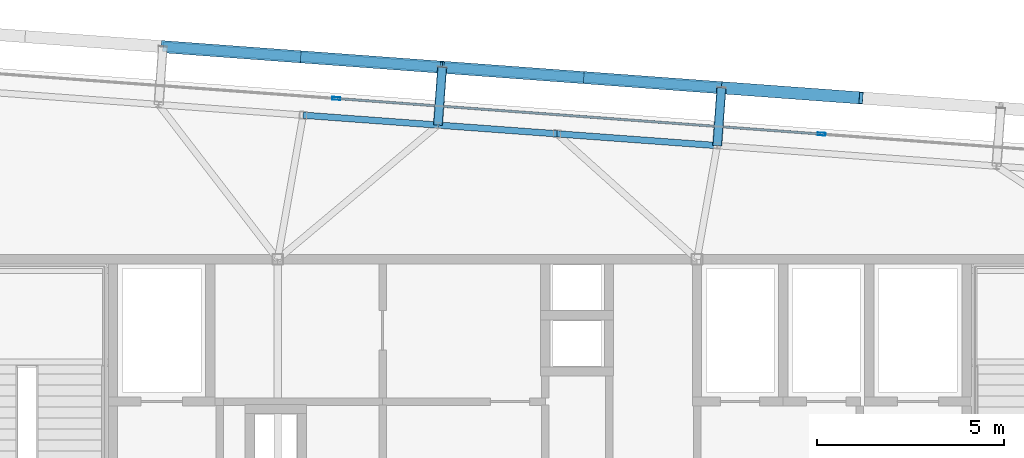
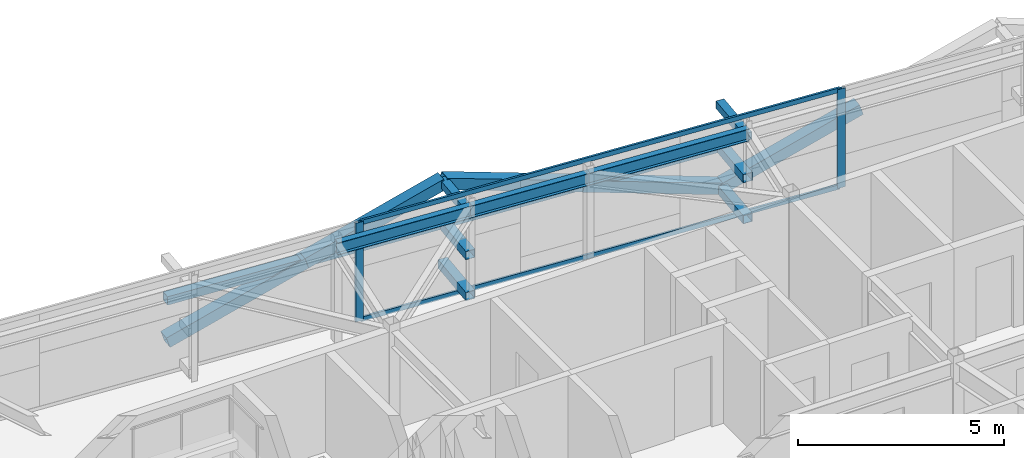
# One storey, part 21 of 34: 17 members, 3 beams, 1 element without a shape of its own.
"""IFC4 building model written with IfcOpenShell, lengths in metres."""

from ifc_helpers import new_model, si_unit, direction, frame, origin, origin_2d, place, context, subcontext, project, spatial, hollow_rectangle, i_section, extrude, source, transform, mapped, material, layer, layer_set, material_profile, profile_set, type_object, element, aggregate, save


model = new_model("IFC4")

# Units and contexts
model_context = context("Model", 3, precision=1e-05, world=origin(), true_north=direction((0.0, 1.0)))
body_context = subcontext(model_context, "Body", "Model", "MODEL_VIEW")
ifc_project = project(units=[si_unit("LENGTHUNIT", "METRE"), si_unit("AREAUNIT", "SQUARE_METRE"), si_unit("VOLUMEUNIT", "CUBIC_METRE"), si_unit("PLANEANGLEUNIT", "RADIAN"), si_unit("MASSUNIT", "GRAM", prefix="KILO")], contexts=[model_context])

# Site, building, storey
site_placement = place(None, origin())
site = spatial("IfcSite", under=ifc_project, at=site_placement, CompositionType="ELEMENT")
building_placement = place(site_placement, origin())
building = spatial("IfcBuilding", under=site, at=building_placement, Name="Taldren Reach Tower", CompositionType="ELEMENT")
storey_placement = place(building_placement, frame((0.0, 0.0, 246.050048828125)))
storey = spatial("IfcBuildingStorey", under=building, at=storey_placement, Name="L75", CompositionType="ELEMENT", Elevation=246.050048828125)

# Members
ifc_material_1 = material(Name="Steel Gr 350 (C350L0)", Category="steel")
ifc_material_profile_1 = material_profile(ifc_material_1, hollow_rectangle(XDim=0.25, YDim=0.25, WallThickness=0.010009765625, at=origin_2d()), Name="250x250x10.0SHS")
ifc_profile_set_1 = profile_set([ifc_material_profile_1], Name="Steel Gr 350 (C350L0)")
member_type_1 = type_object("IfcMemberType", Name="MB-POST250", PredefinedType="POST", material=ifc_profile_set_1)
shared_shape_1 = source(origin(), body_context, "Body", "SweptSolid", [
    extrude(hollow_rectangle(XDim=0.25, YDim=0.25, WallThickness=0.010009765625, at=origin_2d()), origin(), (0.0, 0.0, 1.0), 1.550048828125),
])
for number, where, z_axis, x_axis, name in (
    (1, (32.279541015625, 35.583251953125, 0.219970703125), (0.07323929162, 0.997314396849, 0.0), (-0.997314396849, 0.07323929162, 0.0), "Exoskeleton base diaphragm tie strut B5-N3 L75"),
    (2, (39.739501953125, 35.035400390625, 0.219970703125), (0.07323929162, 0.997314396849, 0.0), (-0.997314396849, 0.07323929162, 0.0), "Exoskeleton base diaphragm tie strut B5-N4 L75"),
    (3, (32.279541015625, 35.583251953125, 1.43505859375), (0.07323929162, 0.997314396849, 0.0), (-0.997314396849, 0.07323929162, 0.0), "Exoskeleton mid-tier diaphragm tie B5-N3 L75"),
    (4, (39.739501953125, 35.035400390625, 1.43505859375), (0.07323929162, 0.997314396849, 0.0), (-0.997314396849, 0.07323929162, 0.0), "Exoskeleton mid-tier diaphragm tie B5-N4 L75"),
):
    element("IfcMember", number, at=place(storey_placement, frame(where, z_axis=z_axis, x_axis=x_axis)), inside=storey, type_object=member_type_1, Name=name, PredefinedType="POST", context=body_context, shape_type="MappedRepresentation", body=[
        mapped(shared_shape_1, transform((0.0, 0.0, 0.0), scale=1.0)),
    ])
ifc_material_2 = material(Name="Steel Gr 450 (C450L0)", Category="steel")
ifc_material_profile_2 = material_profile(ifc_material_2, hollow_rectangle(XDim=0.219970703125, YDim=0.219970703125, WallThickness=0.00830078125, at=origin_2d()), Name="220x220x8.2SHS")
ifc_profile_set_2 = profile_set([ifc_material_profile_2], Name="Steel Gr 450 (C450L0)")
member_type_2 = type_object("IfcMemberType", Name="MB-TIE219", PredefinedType="STRUT", material=ifc_profile_set_2)
shared_shape_2 = source(origin(), body_context, "Body", "SweptSolid", [
    extrude(hollow_rectangle(XDim=0.219970703125, YDim=0.219970703125, WallThickness=0.00830078125, at=origin_2d()), origin(), (0.0, 0.0, 1.0), 1.550048828125),
])
for number, where, z_axis, x_axis, name in (
    (5, (32.279541015625, 35.583251953125, 2.64990234375), (0.07323929162, 0.997314396849, 0.0), (-0.997314396849, 0.07323929162, 0.0), "Exoskeleton diaphragm tie strut B5-N3 L75"),
    (6, (39.739501953125, 35.035400390625, 2.64990234375), (0.07323929162, 0.997314396849, 0.0), (-0.997314396849, 0.07323929162, 0.0), "Exoskeleton diaphragm tie strut B5-N4 L75"),
):
    element("IfcMember", number, at=place(storey_placement, frame(where, z_axis=z_axis, x_axis=x_axis)), inside=storey, type_object=member_type_2, Name=name, PredefinedType="STRUT", context=body_context, shape_type="MappedRepresentation", body=[
        mapped(shared_shape_2, transform((0.0, 0.0, 0.0), scale=1.0)),
    ])

# Beams
ifc_material_3 = material(Name="Steel Gr 350 (350PLUS)", Category="steel")
ifc_material_profile_3 = material_profile(ifc_material_3, i_section(OverallWidth=0.172119140625, OverallDepth=0.35888671875, WebThickness=0.008056640625, FlangeThickness=0.012939453125, at=origin_2d()), Name="360UB56.7")
ifc_profile_set_3 = profile_set([ifc_material_profile_3], Name="Steel Gr 350 (350PLUS)")
beam_type = type_object("IfcBeamType", Name="SP-UB360", PredefinedType="SPANDREL", material=ifc_profile_set_3)
shared_shape_3 = source(origin(), body_context, "Body", "SweptSolid", [
    extrude(i_section(OverallWidth=0.172119140625, OverallDepth=0.35888671875, WebThickness=0.008056640625, FlangeThickness=0.012939453125, at=origin_2d()), origin(), (0.0, 0.0, 1.0), 4.2900390625),
])
beam_1_placement = place(storey_placement, frame((39.739501953125, 35.035400390625, 2.75048828125), z_axis=(-0.997314292471, 0.073240712948, 0.0), x_axis=(-0.073240712948, -0.997314292471, 0.0)))
element("IfcBeam", 7, at=beam_1_placement, inside=storey, type_object=beam_type, Name="Perimeter spandrel B5 N4-PJN2 L75", PredefinedType="SPANDREL", context=body_context, shape_type="MappedRepresentation", body=[
    mapped(shared_shape_3, transform((0.0, 0.0, 0.0), scale=1.0)),
])
shared_shape_4 = source(origin(), body_context, "Body", "SweptSolid", [
    extrude(i_section(OverallWidth=0.172119140625, OverallDepth=0.35888671875, WebThickness=0.008056640625, FlangeThickness=0.012939453125, at=origin_2d()), origin(), (0.0, 0.0, 1.0), 3.18994140625),
])
beam_2_placement = place(storey_placement, frame((35.4609375, 35.349609375, 2.75048828125), z_axis=(-0.99731412404, 0.073243006424, 0.0), x_axis=(-0.073243006424, -0.99731412404, 0.0)))
element("IfcBeam", 8, at=beam_2_placement, inside=storey, type_object=beam_type, Name="Perimeter spandrel B5 PJN2-N3 L75", PredefinedType="SPANDREL", context=body_context, shape_type="MappedRepresentation", body=[
    mapped(shared_shape_4, transform((0.0, 0.0, 0.0), scale=1.0)),
])
shared_shape_5 = source(origin(), body_context, "Body", "SweptSolid", [
    extrude(i_section(OverallWidth=0.172119140625, OverallDepth=0.35888671875, WebThickness=0.008056640625, FlangeThickness=0.012939453125, at=origin_2d()), origin(), (0.0, 0.0, 1.0), 3.610107421875),
])
beam_3_placement = place(storey_placement, frame((32.279541015625, 35.583251953125, 2.75048828125), z_axis=(-0.997314240042, 0.073241426864, 0.0), x_axis=(-0.073241426864, -0.997314240042, 0.0)))
element("IfcBeam", 9, at=beam_3_placement, inside=storey, type_object=beam_type, Name="Perimeter spandrel B5 N3-PJN1 L75", PredefinedType="SPANDREL", context=body_context, shape_type="MappedRepresentation", body=[
    mapped(shared_shape_5, transform((0.0, 0.0, 0.0), scale=1.0)),
])

# Members
ifc_material_profile_4 = material_profile(ifc_material_2, hollow_rectangle(XDim=0.324951171875, YDim=0.324951171875, WallThickness=0.0126953125, at=origin_2d()), Name="325x325x12.7SHS")
ifc_profile_set_4 = profile_set([ifc_material_profile_4], Name="Steel Gr 450 (C450L0)")
member_type_3 = type_object("IfcMemberType", Name="MB-BR324", PredefinedType="BRACE", material=ifc_profile_set_4)
shared_shape_6 = source(origin(), body_context, "Body", "SweptSolid", [
    extrude(hollow_rectangle(XDim=0.324951171875, YDim=0.324951171875, WallThickness=0.0126953125, at=origin_2d()), origin(), (0.0, 0.0, 1.0), 3.932373046875),
])
for number, where, z_axis, x_axis, name in (
    (10, (24.93310546875, 37.677001953125, 0.219970703125), (0.948511132845, -0.069657644394, 0.308989390507), (0.07324169103, 0.997314220642, 0.0), "Exoskeleton Diagrid Brace B5-N2 L75"),
    (11, (28.6630859375, 37.403076171875, 1.43505859375), (0.948529326954, -0.06965898055, 0.308933232813), (0.07324169103, 0.997314220642, 0.0), "Exoskeleton Diagrid Brace B5-N2 L75"),
    (12, (39.85302734375, 36.581298828125, 0.219970703125), (-0.948511132845, 0.069657644394, 0.308989390507), (-0.07324169103, -0.997314220642, 0.0), "Exoskeleton Diagrid Brace B5-N3 L75"),
    (13, (36.123046875, 36.855224609375, 1.43505859375), (-0.948529326954, 0.06965898055, 0.308933232813), (-0.07324169103, -0.997314220642, 0.0), "Exoskeleton Diagrid Brace B5-N3 L75"),
    (14, (39.85302734375, 36.581298828125, 0.219970703125), (0.948511132845, -0.069657644394, 0.308989390507), (0.07324169103, 0.997314220642, 0.0), "Exoskeleton Diagrid Brace B5-N4 L75"),
):
    element("IfcMember", number, at=place(storey_placement, frame(where, z_axis=z_axis, x_axis=x_axis)), inside=storey, type_object=member_type_3, Name=name, PredefinedType="BRACE", context=body_context, shape_type="MappedRepresentation", body=[
        mapped(shared_shape_6, transform((0.0, 0.0, 0.0), scale=1.0)),
    ])
shared_shape_7 = source(origin(), body_context, "Body", "SweptSolid", [
    extrude(hollow_rectangle(XDim=0.25, YDim=0.25, WallThickness=0.010009765625, at=origin_2d()), origin(), (0.0, 0.0, 1.0), 7.47998046875),
])
for number, where, z_axis, x_axis, name in (
    (15, (24.93310546875, 37.677001953125, 1.43505859375), (0.997314220642, -0.07324169103, 0.0), (0.07324169103, 0.997314220642, 0.0), "Exoskeleton mid-height ring chord B5-N2 L75"),
    (16, (32.39306640625, 37.129150390625, 1.43505859375), (0.997314220642, -0.07324169103, 0.0), (0.07324169103, 0.997314220642, 0.0), "Exoskeleton mid-height ring chord B5-N3 L75"),
):
    element("IfcMember", number, at=place(storey_placement, frame(where, z_axis=z_axis, x_axis=x_axis)), inside=storey, type_object=member_type_1, Name=name, PredefinedType="POST", context=body_context, shape_type="MappedRepresentation", body=[
        mapped(shared_shape_7, transform((0.0, 0.0, 0.0), scale=1.0)),
    ])

# Curtain wall, members
ifc_material_4 = material(Name="Aluminium and Low-E Glass Unitised System", Category="aluminium")
ifc_layer = layer(ifc_material_4, 0.159912109375)
ifc_layer_set = layer_set([ifc_layer], Name="Aluminium and Low-E Glass Unitised System")
curtain_wall_type = type_object("IfcCurtainWallType", Name="CW-SYS-6", PredefinedType="NOTDEFINED", material=ifc_layer_set)
curtain_wall_placement = place(storey_placement, origin())
curtain_wall = element("IfcCurtainWall", 17, at=curtain_wall_placement, inside=storey, type_object=curtain_wall_type, Name="Unitised curtain wall CW-L75-N", PredefinedType="NOTDEFINED")
ifc_material_5 = material(Name="Anodised Aluminium 6063-T6", Category="aluminium")
ifc_material_profile_5 = material_profile(ifc_material_5, hollow_rectangle(XDim=0.06005859375, YDim=0.135009765625, WallThickness=0.00341796875, at=origin_2d()), Name="ALU-135x60x3.5RHS")
ifc_profile_set_5 = profile_set([ifc_material_profile_5], Name="Anodised Aluminium 6063-T6")
member_type_4 = type_object("IfcMemberType", Name="CW-TRN-150", PredefinedType="USERDEFINED", material=ifc_profile_set_5)
shared_shape_8 = source(origin(), body_context, "Body", "SweptSolid", [
    extrude(hollow_rectangle(XDim=0.06005859375, YDim=0.135009765625, WallThickness=0.00341796875, at=origin_2d()), origin(), (0.0, 0.0, 1.0), 12.9248046875),
])
member_1_placement = place(storey_placement, frame((42.491943359375, 35.3447265625, 0.030029296875), z_axis=(-0.997314812144, 0.073233636249, 0.0), x_axis=(-0.073233636249, -0.997314812144, 0.0)))
member_1 = element("IfcMember", 18, at=member_1_placement, type_object=member_type_4, Name="CW-6 transom 2.1", ObjectType="TRANSOM", PredefinedType="USERDEFINED", context=body_context, shape_type="MappedRepresentation", body=[
    mapped(shared_shape_8, transform((0.0, 0.0, 0.0), scale=1.0)),
])
member_2_placement = place(storey_placement, frame((42.491943359375, 35.3447265625, 2.89990234375), z_axis=(-0.997314812144, 0.073233636249, 0.0), x_axis=(-0.073233636249, -0.997314812144, 0.0)))
member_2 = element("IfcMember", 19, at=member_2_placement, type_object=member_type_4, Name="CW-6 transom 2.2", ObjectType="TRANSOM", PredefinedType="USERDEFINED", context=body_context, shape_type="MappedRepresentation", body=[
    mapped(shared_shape_8, transform((0.0, 0.0, 0.0), scale=1.0)),
])
ifc_material_profile_6 = material_profile(ifc_material_5, hollow_rectangle(XDim=0.074951171875, YDim=0.2099609375, WallThickness=0.00439453125, at=origin_2d()), Name="ALU-210x75x4.5RHS")
ifc_profile_set_6 = profile_set([ifc_material_profile_6], Name="Anodised Aluminium 6063-T6")
member_type_5 = type_object("IfcMemberType", Name="CW-MUL-200", PredefinedType="MULLION", material=ifc_profile_set_6)
shared_shape_9 = source(origin(), body_context, "Body", "SweptSolid", [
    extrude(hollow_rectangle(XDim=0.074951171875, YDim=0.2099609375, WallThickness=0.00439453125, at=origin_2d()), origin(), (0.0, 0.0, 1.0), 2.929931640625),
])
member_3_placement = place(storey_placement, frame((42.529541015625, 35.341796875, 0.0), z_axis=(0.0, 0.0, 1.0), x_axis=(-0.073238213716, -0.997314476006, 0.0)))
member_3 = element("IfcMember", 20, at=member_3_placement, type_object=member_type_5, Name="CW-6 mullion 2", PredefinedType="MULLION", context=body_context, shape_type="MappedRepresentation", body=[
    mapped(shared_shape_9, transform((0.0, 0.0, 0.0), scale=1.0)),
])
member_4_placement = place(storey_placement, frame((29.564453125, 36.2939453125, 0.0), z_axis=(0.0, 0.0, 1.0), x_axis=(-0.073238213716, -0.997314476006, 0.0)))
member_4 = element("IfcMember", 21, at=member_4_placement, type_object=member_type_5, Name="CW-6 mullion 3", PredefinedType="MULLION", context=body_context, shape_type="MappedRepresentation", body=[
    mapped(shared_shape_9, transform((0.0, 0.0, 0.0), scale=1.0)),
])
aggregate(curtain_wall, [member_3, member_4, member_1, member_2])

save(model, "model.ifc")
